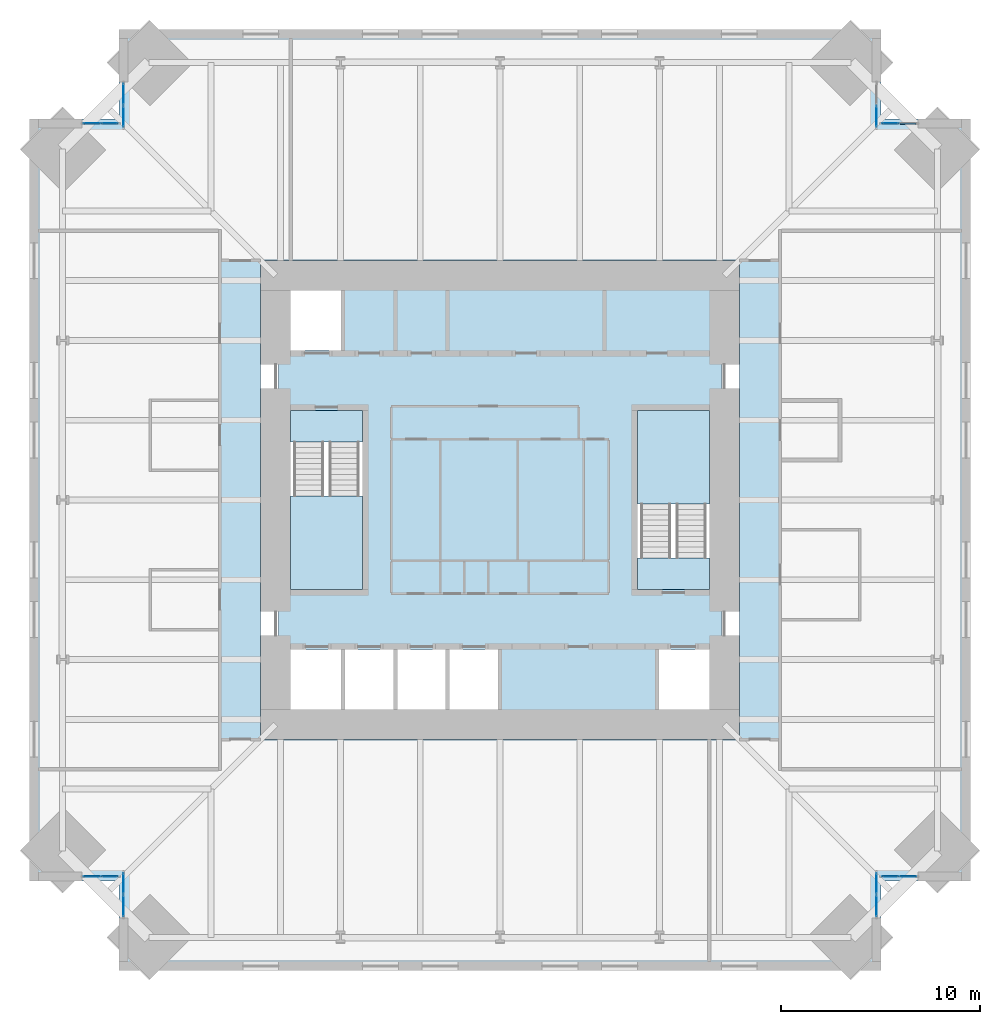
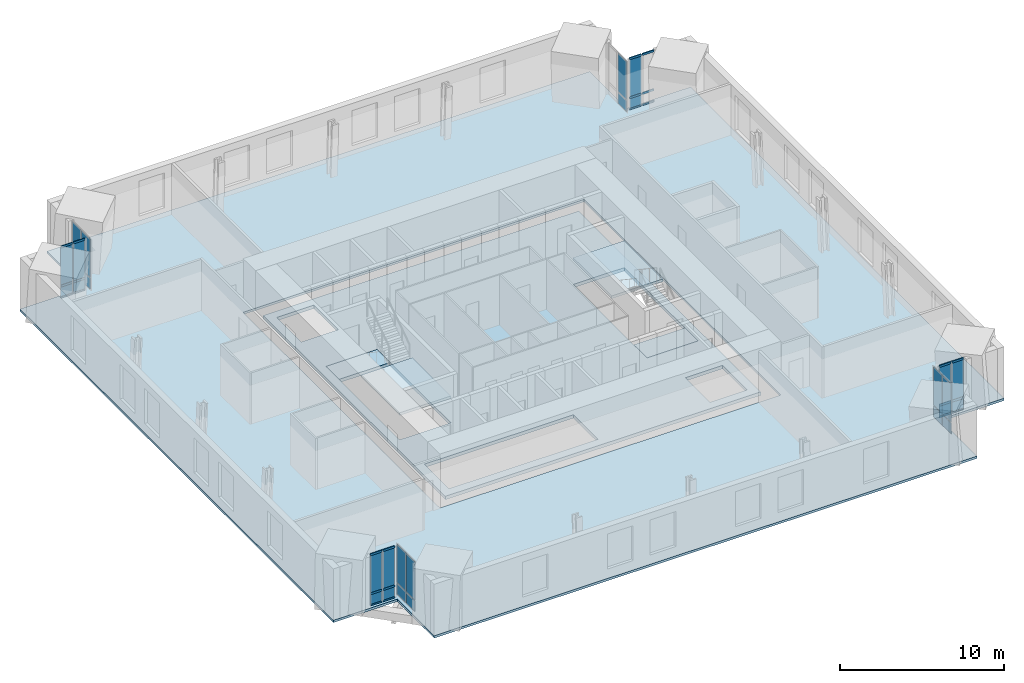
# One storey, part 9 of 14: 28 plates, 24 members, 6 slabs, 10 elements without a shape of their own.
"""IFC4 building model written with IfcOpenShell, lengths in metres."""

from ifc_helpers import new_model, si_unit, direction, frame, origin, origin_2d, place, context, subcontext, project, spatial, polyline, rectangle, hollow_rectangle, outline, extrude, material, layer, layer_set, material_profile, profile_set, type_object, element, aggregate, save


model = new_model("IFC4")

# Units and contexts
model_context = context("Model", 3, precision=1e-05, world=origin(), true_north=direction((0.0, 1.0)))
body_context = subcontext(model_context, "Body", "Model", "MODEL_VIEW")
ifc_project = project(units=[si_unit("LENGTHUNIT", "METRE"), si_unit("AREAUNIT", "SQUARE_METRE"), si_unit("VOLUMEUNIT", "CUBIC_METRE"), si_unit("PLANEANGLEUNIT", "RADIAN"), si_unit("MASSUNIT", "GRAM", prefix="KILO")], contexts=[model_context])

# Site, building, storey
site_placement = place(None, origin())
site = spatial("IfcSite", under=ifc_project, at=site_placement, CompositionType="ELEMENT")
building_placement = place(site_placement, origin())
building = spatial("IfcBuilding", under=site, at=building_placement, Name="Peilmerk Tower", CompositionType="ELEMENT")
storey_placement = place(building_placement, frame((0.0, 0.0, 221.800048828125)))
storey = spatial("IfcBuildingStorey", under=building, at=storey_placement, Name="L48", CompositionType="ELEMENT", Elevation=221.800048828125)

# Curtain wall, members
ifc_material_1 = material(Name="Aluminium stick curtain wall", Category="aluminium")
curtain_wall_type = type_object("IfcCurtainWallType", Name="CW4 stick curtain wall, 2250 module", PredefinedType="NOTDEFINED", material=ifc_material_1)
curtain_wall_1_placement = place(storey_placement, origin())
curtain_wall_1 = element("IfcCurtainWall", 1, at=curtain_wall_1_placement, inside=storey, type_object=curtain_wall_type, Name="Curtain wall CW4 NEB L48", PredefinedType="NOTDEFINED")
ifc_material_2 = material(Name="Aluminium EN AW-6063 T6", Category="aluminium")
ifc_material_profile = material_profile(ifc_material_2, hollow_rectangle(XDim=0.06494140625, YDim=0.14990234375, WallThickness=0.0029296875, at=origin_2d()), Name="AL 150x65x3")
ifc_profile_set = profile_set([ifc_material_profile], Name="Aluminium EN AW-6063 T6")
member_type = type_object("IfcMemberType", Name="CW4-T AL 150x65x3 transom", PredefinedType="USERDEFINED", material=ifc_profile_set)
member_1_placement = place(storey_placement, frame((19.1650390625, 18.875, 0.032470703125), z_axis=(1.0, 0.0, 0.0), x_axis=(0.0, 1.0, 0.0)))
member_1 = element("IfcMember", 2, at=member_1_placement, type_object=member_type, Name="CW4 transom 1.1", ObjectType="TRANSOM", PredefinedType="USERDEFINED", context=body_context, shape_type="SweptSolid", body=[
    extrude(hollow_rectangle(XDim=0.06494140625, YDim=0.14990234375, WallThickness=0.0029296875, at=origin_2d()), origin(), (0.0, 0.0, 1.0), 0.82177734375),
])
member_2_placement = place(storey_placement, frame((19.1650390625, 18.875, 0.89990234375), z_axis=(1.0, 0.0, 0.0), x_axis=(0.0, 1.0, 0.0)))
member_2 = element("IfcMember", 3, at=member_2_placement, type_object=member_type, Name="CW4 transom 1.2", ObjectType="TRANSOM", PredefinedType="USERDEFINED", context=body_context, shape_type="SweptSolid", body=[
    extrude(hollow_rectangle(XDim=0.06494140625, YDim=0.14990234375, WallThickness=0.0029296875, at=origin_2d()), origin(), (0.0, 0.0, 1.0), 0.82177734375),
])
member_3_placement = place(storey_placement, frame((19.1650390625, 18.875, 3.79736328125), z_axis=(1.0, 0.0, 0.0), x_axis=(0.0, 1.0, 0.0)))
member_3 = element("IfcMember", 4, at=member_3_placement, type_object=member_type, Name="CW4 transom 1.3", ObjectType="TRANSOM", PredefinedType="USERDEFINED", context=body_context, shape_type="SweptSolid", body=[
    extrude(hollow_rectangle(XDim=0.06494140625, YDim=0.14990234375, WallThickness=0.0029296875, at=origin_2d()), origin(), (0.0, 0.0, 1.0), 0.82177734375),
])
member_4_placement = place(storey_placement, frame((20.0517578125, 18.875, 0.032470703125), z_axis=(1.0, 0.0, 0.0), x_axis=(0.0, 1.0, 0.0)))
member_4 = element("IfcMember", 5, at=member_4_placement, type_object=member_type, Name="CW4 transom 2.1", ObjectType="TRANSOM", PredefinedType="USERDEFINED", context=body_context, shape_type="SweptSolid", body=[
    extrude(hollow_rectangle(XDim=0.06494140625, YDim=0.14990234375, WallThickness=0.0029296875, at=origin_2d()), origin(), (0.0, 0.0, 1.0), 0.822021484375),
])
member_5_placement = place(storey_placement, frame((20.0517578125, 18.875, 0.89990234375), z_axis=(1.0, 0.0, 0.0), x_axis=(0.0, 1.0, 0.0)))
member_5 = element("IfcMember", 6, at=member_5_placement, type_object=member_type, Name="CW4 transom 2.2", ObjectType="TRANSOM", PredefinedType="USERDEFINED", context=body_context, shape_type="SweptSolid", body=[
    extrude(hollow_rectangle(XDim=0.06494140625, YDim=0.14990234375, WallThickness=0.0029296875, at=origin_2d()), origin(), (0.0, 0.0, 1.0), 0.822021484375),
])
member_6_placement = place(storey_placement, frame((20.0517578125, 18.875, 3.79736328125), z_axis=(1.0, 0.0, 0.0), x_axis=(0.0, 1.0, 0.0)))
member_6 = element("IfcMember", 7, at=member_6_placement, type_object=member_type, Name="CW4 transom 2.3", ObjectType="TRANSOM", PredefinedType="USERDEFINED", context=body_context, shape_type="SweptSolid", body=[
    extrude(hollow_rectangle(XDim=0.06494140625, YDim=0.14990234375, WallThickness=0.0029296875, at=origin_2d()), origin(), (0.0, 0.0, 1.0), 0.822021484375),
])

curtain_wall_2_placement = place(storey_placement, origin())
curtain_wall_2 = element("IfcCurtainWall", 8, at=curtain_wall_2_placement, inside=storey, type_object=curtain_wall_type, Name="Curtain wall CW4 SEB L48", PredefinedType="NOTDEFINED")
member_7_placement = place(storey_placement, frame((19.1650390625, -18.875, 0.032470703125), z_axis=(1.0, 0.0, 0.0), x_axis=(0.0, 1.0, 0.0)))
member_7 = element("IfcMember", 9, at=member_7_placement, type_object=member_type, Name="CW4 transom 1.1", ObjectType="TRANSOM", PredefinedType="USERDEFINED", context=body_context, shape_type="SweptSolid", body=[
    extrude(hollow_rectangle(XDim=0.06494140625, YDim=0.14990234375, WallThickness=0.0029296875, at=origin_2d()), origin(), (0.0, 0.0, 1.0), 0.82177734375),
])
member_8_placement = place(storey_placement, frame((19.1650390625, -18.875, 0.89990234375), z_axis=(1.0, 0.0, 0.0), x_axis=(0.0, 1.0, 0.0)))
member_8 = element("IfcMember", 10, at=member_8_placement, type_object=member_type, Name="CW4 transom 1.2", ObjectType="TRANSOM", PredefinedType="USERDEFINED", context=body_context, shape_type="SweptSolid", body=[
    extrude(hollow_rectangle(XDim=0.06494140625, YDim=0.14990234375, WallThickness=0.0029296875, at=origin_2d()), origin(), (0.0, 0.0, 1.0), 0.82177734375),
])
member_9_placement = place(storey_placement, frame((19.1650390625, -18.875, 3.79736328125), z_axis=(1.0, 0.0, 0.0), x_axis=(0.0, 1.0, 0.0)))
member_9 = element("IfcMember", 11, at=member_9_placement, type_object=member_type, Name="CW4 transom 1.3", ObjectType="TRANSOM", PredefinedType="USERDEFINED", context=body_context, shape_type="SweptSolid", body=[
    extrude(hollow_rectangle(XDim=0.06494140625, YDim=0.14990234375, WallThickness=0.0029296875, at=origin_2d()), origin(), (0.0, 0.0, 1.0), 0.82177734375),
])
member_10_placement = place(storey_placement, frame((20.0517578125, -18.875, 0.032470703125), z_axis=(1.0, 0.0, 0.0), x_axis=(0.0, 1.0, 0.0)))
member_10 = element("IfcMember", 12, at=member_10_placement, type_object=member_type, Name="CW4 transom 2.1", ObjectType="TRANSOM", PredefinedType="USERDEFINED", context=body_context, shape_type="SweptSolid", body=[
    extrude(hollow_rectangle(XDim=0.06494140625, YDim=0.14990234375, WallThickness=0.0029296875, at=origin_2d()), origin(), (0.0, 0.0, 1.0), 0.822021484375),
])
member_11_placement = place(storey_placement, frame((20.0517578125, -18.875, 0.89990234375), z_axis=(1.0, 0.0, 0.0), x_axis=(0.0, 1.0, 0.0)))
member_11 = element("IfcMember", 13, at=member_11_placement, type_object=member_type, Name="CW4 transom 2.2", ObjectType="TRANSOM", PredefinedType="USERDEFINED", context=body_context, shape_type="SweptSolid", body=[
    extrude(hollow_rectangle(XDim=0.06494140625, YDim=0.14990234375, WallThickness=0.0029296875, at=origin_2d()), origin(), (0.0, 0.0, 1.0), 0.822021484375),
])
member_12_placement = place(storey_placement, frame((20.0517578125, -18.875, 3.79736328125), z_axis=(1.0, 0.0, 0.0), x_axis=(0.0, 1.0, 0.0)))
member_12 = element("IfcMember", 14, at=member_12_placement, type_object=member_type, Name="CW4 transom 2.3", ObjectType="TRANSOM", PredefinedType="USERDEFINED", context=body_context, shape_type="SweptSolid", body=[
    extrude(hollow_rectangle(XDim=0.06494140625, YDim=0.14990234375, WallThickness=0.0029296875, at=origin_2d()), origin(), (0.0, 0.0, 1.0), 0.822021484375),
])

curtain_wall_3_placement = place(storey_placement, origin())
curtain_wall_3 = element("IfcCurtainWall", 15, at=curtain_wall_3_placement, inside=storey, type_object=curtain_wall_type, Name="Curtain wall CW4 SWB L48", PredefinedType="NOTDEFINED")
member_13_placement = place(storey_placement, frame((-19.1650390625, -18.875, 0.032470703125), z_axis=(-1.0, 0.0, 0.0), x_axis=(0.0, -1.0, 0.0)))
member_13 = element("IfcMember", 16, at=member_13_placement, type_object=member_type, Name="CW4 transom 1.1", ObjectType="TRANSOM", PredefinedType="USERDEFINED", context=body_context, shape_type="SweptSolid", body=[
    extrude(hollow_rectangle(XDim=0.06494140625, YDim=0.14990234375, WallThickness=0.0029296875, at=origin_2d()), origin(), (0.0, 0.0, 1.0), 0.82177734375),
])
member_14_placement = place(storey_placement, frame((-19.1650390625, -18.875, 0.89990234375), z_axis=(-1.0, 0.0, 0.0), x_axis=(0.0, -1.0, 0.0)))
member_14 = element("IfcMember", 17, at=member_14_placement, type_object=member_type, Name="CW4 transom 1.2", ObjectType="TRANSOM", PredefinedType="USERDEFINED", context=body_context, shape_type="SweptSolid", body=[
    extrude(hollow_rectangle(XDim=0.06494140625, YDim=0.14990234375, WallThickness=0.0029296875, at=origin_2d()), origin(), (0.0, 0.0, 1.0), 0.82177734375),
])
member_15_placement = place(storey_placement, frame((-19.1650390625, -18.875, 3.79736328125), z_axis=(-1.0, 0.0, 0.0), x_axis=(0.0, -1.0, 0.0)))
member_15 = element("IfcMember", 18, at=member_15_placement, type_object=member_type, Name="CW4 transom 1.3", ObjectType="TRANSOM", PredefinedType="USERDEFINED", context=body_context, shape_type="SweptSolid", body=[
    extrude(hollow_rectangle(XDim=0.06494140625, YDim=0.14990234375, WallThickness=0.0029296875, at=origin_2d()), origin(), (0.0, 0.0, 1.0), 0.82177734375),
])
member_16_placement = place(storey_placement, frame((-20.0517578125, -18.875, 0.032470703125), z_axis=(-1.0, 0.0, 0.0), x_axis=(0.0, -1.0, 0.0)))
member_16 = element("IfcMember", 19, at=member_16_placement, type_object=member_type, Name="CW4 transom 2.1", ObjectType="TRANSOM", PredefinedType="USERDEFINED", context=body_context, shape_type="SweptSolid", body=[
    extrude(hollow_rectangle(XDim=0.06494140625, YDim=0.14990234375, WallThickness=0.0029296875, at=origin_2d()), origin(), (0.0, 0.0, 1.0), 0.822021484375),
])
member_17_placement = place(storey_placement, frame((-20.0517578125, -18.875, 0.89990234375), z_axis=(-1.0, 0.0, 0.0), x_axis=(0.0, -1.0, 0.0)))
member_17 = element("IfcMember", 20, at=member_17_placement, type_object=member_type, Name="CW4 transom 2.2", ObjectType="TRANSOM", PredefinedType="USERDEFINED", context=body_context, shape_type="SweptSolid", body=[
    extrude(hollow_rectangle(XDim=0.06494140625, YDim=0.14990234375, WallThickness=0.0029296875, at=origin_2d()), origin(), (0.0, 0.0, 1.0), 0.822021484375),
])
member_18_placement = place(storey_placement, frame((-20.0517578125, -18.875, 3.79736328125), z_axis=(-1.0, 0.0, 0.0), x_axis=(0.0, -1.0, 0.0)))
member_18 = element("IfcMember", 21, at=member_18_placement, type_object=member_type, Name="CW4 transom 2.3", ObjectType="TRANSOM", PredefinedType="USERDEFINED", context=body_context, shape_type="SweptSolid", body=[
    extrude(hollow_rectangle(XDim=0.06494140625, YDim=0.14990234375, WallThickness=0.0029296875, at=origin_2d()), origin(), (0.0, 0.0, 1.0), 0.822021484375),
])

curtain_wall_4_placement = place(storey_placement, origin())
curtain_wall_4 = element("IfcCurtainWall", 22, at=curtain_wall_4_placement, inside=storey, type_object=curtain_wall_type, Name="Curtain wall CW4 NWB L48", PredefinedType="NOTDEFINED")
member_19_placement = place(storey_placement, frame((-19.1650390625, 18.875, 0.032470703125), z_axis=(-1.0, 0.0, 0.0), x_axis=(0.0, -1.0, 0.0)))
member_19 = element("IfcMember", 23, at=member_19_placement, type_object=member_type, Name="CW4 transom 1.1", ObjectType="TRANSOM", PredefinedType="USERDEFINED", context=body_context, shape_type="SweptSolid", body=[
    extrude(hollow_rectangle(XDim=0.06494140625, YDim=0.14990234375, WallThickness=0.0029296875, at=origin_2d()), origin(), (0.0, 0.0, 1.0), 0.82177734375),
])
member_20_placement = place(storey_placement, frame((-19.1650390625, 18.875, 0.89990234375), z_axis=(-1.0, 0.0, 0.0), x_axis=(0.0, -1.0, 0.0)))
member_20 = element("IfcMember", 24, at=member_20_placement, type_object=member_type, Name="CW4 transom 1.2", ObjectType="TRANSOM", PredefinedType="USERDEFINED", context=body_context, shape_type="SweptSolid", body=[
    extrude(hollow_rectangle(XDim=0.06494140625, YDim=0.14990234375, WallThickness=0.0029296875, at=origin_2d()), origin(), (0.0, 0.0, 1.0), 0.82177734375),
])
member_21_placement = place(storey_placement, frame((-19.1650390625, 18.875, 3.79736328125), z_axis=(-1.0, 0.0, 0.0), x_axis=(0.0, -1.0, 0.0)))
member_21 = element("IfcMember", 25, at=member_21_placement, type_object=member_type, Name="CW4 transom 1.3", ObjectType="TRANSOM", PredefinedType="USERDEFINED", context=body_context, shape_type="SweptSolid", body=[
    extrude(hollow_rectangle(XDim=0.06494140625, YDim=0.14990234375, WallThickness=0.0029296875, at=origin_2d()), origin(), (0.0, 0.0, 1.0), 0.82177734375),
])
member_22_placement = place(storey_placement, frame((-20.0517578125, 18.875, 0.032470703125), z_axis=(-1.0, 0.0, 0.0), x_axis=(0.0, -1.0, 0.0)))
member_22 = element("IfcMember", 26, at=member_22_placement, type_object=member_type, Name="CW4 transom 2.1", ObjectType="TRANSOM", PredefinedType="USERDEFINED", context=body_context, shape_type="SweptSolid", body=[
    extrude(hollow_rectangle(XDim=0.06494140625, YDim=0.14990234375, WallThickness=0.0029296875, at=origin_2d()), origin(), (0.0, 0.0, 1.0), 0.822021484375),
])
member_23_placement = place(storey_placement, frame((-20.0517578125, 18.875, 0.89990234375), z_axis=(-1.0, 0.0, 0.0), x_axis=(0.0, -1.0, 0.0)))
member_23 = element("IfcMember", 27, at=member_23_placement, type_object=member_type, Name="CW4 transom 2.2", ObjectType="TRANSOM", PredefinedType="USERDEFINED", context=body_context, shape_type="SweptSolid", body=[
    extrude(hollow_rectangle(XDim=0.06494140625, YDim=0.14990234375, WallThickness=0.0029296875, at=origin_2d()), origin(), (0.0, 0.0, 1.0), 0.822021484375),
])
member_24_placement = place(storey_placement, frame((-20.0517578125, 18.875, 3.79736328125), z_axis=(-1.0, 0.0, 0.0), x_axis=(0.0, -1.0, 0.0)))
member_24 = element("IfcMember", 28, at=member_24_placement, type_object=member_type, Name="CW4 transom 2.3", ObjectType="TRANSOM", PredefinedType="USERDEFINED", context=body_context, shape_type="SweptSolid", body=[
    extrude(hollow_rectangle(XDim=0.06494140625, YDim=0.14990234375, WallThickness=0.0029296875, at=origin_2d()), origin(), (0.0, 0.0, 1.0), 0.822021484375),
])

# Slab
ifc_material_3 = material(Name="Concrete C55/67", Category="concrete")
ifc_layer_1 = layer(ifc_material_3, 0.25)
ifc_layer_set_1 = layer_set([ifc_layer_1], Name="Concrete C55/67")
slab_type_1 = type_object("IfcSlabType", Name="CS250 250 core floor slab", PredefinedType="FLOOR", material=ifc_layer_set_1)
slab_1_placement = place(storey_placement, frame((0.0, 0.0, -0.25)))
element("IfcSlab", 29, at=slab_1_placement, inside=storey, type_object=slab_type_1, Name="Core slab L48", PredefinedType="FLOOR", context=body_context, shape_type="SweptSolid", body=[
    extrude(outline(polyline([(11.10009765625, -11.10009765625), (11.10009765625, 11.10009765625), (-11.10009765625, 11.10009765625), (-11.10009765625, -11.10009765625), (11.10009765625, -11.10009765625)]), holes=[polyline([(-7.875, 7.5), (-10.5, 7.5), (-10.5, 10.5), (-7.875, 10.5), (-7.875, 7.5)]), polyline([(0.0, -10.5), (-10.5, -10.5), (-10.5, -7.5), (0.0, -7.5), (0.0, -10.5)]), polyline([(7.875, -10.5), (7.875, -7.5), (10.5, -7.5), (10.5, -10.5), (7.875, -10.5)]), polyline([(-10.5, 4.5), (-6.89990234375, 4.5), (-6.89990234375, -4.5), (-10.5, -4.5), (-10.5, 4.5)]), polyline([(10.5, 4.5), (10.5, -4.5), (6.89990234375, -4.5), (6.89990234375, 4.5), (10.5, 4.5)])]), origin(), (0.0, 0.0, 1.0), 0.25),
])

# Curtain wall, plates
curtain_wall_5_placement = place(storey_placement, origin())
curtain_wall_5 = element("IfcCurtainWall", 30, at=curtain_wall_5_placement, inside=storey, type_object=curtain_wall_type, Name="Curtain wall CW4 NEA L48", PredefinedType="NOTDEFINED")
ifc_material_4 = material(Name="Clear insulated glazing unit", Category="glass")
ifc_layer_2 = layer(ifc_material_4, 0.028076171875)
ifc_layer_set_2 = layer_set([ifc_layer_2], Name="Clear insulated glazing unit")
plate_type = type_object("IfcPlateType", Name="CW4-P 28 glazed panel", PredefinedType="CURTAIN_PANEL", material=ifc_layer_set_2)
plate_1_placement = place(storey_placement, frame((18.875, 19.238525390625, 0.06494140625), z_axis=(0.0, 0.0, 1.0), x_axis=(0.0, 1.0, 0.0)))
plate_1 = element("IfcPlate", 31, at=plate_1_placement, type_object=plate_type, Name="CW4 panel 1.1", PredefinedType="CURTAIN_PANEL", context=body_context, shape_type="SweptSolid", body=[
    extrude(rectangle(XDim=1.046875, YDim=0.028076171875, at=origin_2d()), origin(), (0.0, 0.0, 1.0), 0.802490234375),
])
plate_2_placement = place(storey_placement, frame((18.875, 19.238525390625, 0.932373046875), z_axis=(0.0, 0.0, 1.0), x_axis=(0.0, 1.0, 0.0)))
plate_2 = element("IfcPlate", 32, at=plate_2_placement, type_object=plate_type, Name="CW4 panel 1.2", PredefinedType="CURTAIN_PANEL", context=body_context, shape_type="SweptSolid", body=[
    extrude(rectangle(XDim=1.046875, YDim=0.028076171875, at=origin_2d()), origin(), (0.0, 0.0, 1.0), 2.83251953125),
])
aggregate(curtain_wall_5, [plate_1, plate_2])

# Plate
plate_3_placement = place(storey_placement, frame((19.575927734375, 18.875, 0.06494140625), z_axis=(0.0, 0.0, 1.0), x_axis=(1.0, 0.0, 0.0)))
plate_3 = element("IfcPlate", 33, at=plate_3_placement, type_object=plate_type, Name="CW4 panel 1.1", PredefinedType="CURTAIN_PANEL", context=body_context, shape_type="SweptSolid", body=[
    extrude(rectangle(XDim=0.82177734375, YDim=0.028076171875, at=origin_2d()), origin(), (0.0, 0.0, 1.0), 0.802490234375),
])

plate_4_placement = place(storey_placement, frame((19.575927734375, 18.875, 0.932373046875), z_axis=(0.0, 0.0, 1.0), x_axis=(1.0, 0.0, 0.0)))
plate_4 = element("IfcPlate", 34, at=plate_4_placement, type_object=plate_type, Name="CW4 panel 1.2", PredefinedType="CURTAIN_PANEL", context=body_context, shape_type="SweptSolid", body=[
    extrude(rectangle(XDim=0.82177734375, YDim=0.028076171875, at=origin_2d()), origin(), (0.0, 0.0, 1.0), 2.83251953125),
])

aggregate(curtain_wall_1, [member_1, member_2, member_3, plate_3, plate_4, member_4, member_5, member_6])

# Curtain wall, plates
curtain_wall_6_placement = place(storey_placement, origin())
curtain_wall_6 = element("IfcCurtainWall", 35, at=curtain_wall_6_placement, inside=storey, type_object=curtain_wall_type, Name="Curtain wall CW4 SEA L48", PredefinedType="NOTDEFINED")
plate_5_placement = place(storey_placement, frame((18.875, -19.238525390625, 0.06494140625), z_axis=(0.0, 0.0, 1.0), x_axis=(0.0, -1.0, 0.0)))
plate_5 = element("IfcPlate", 36, at=plate_5_placement, type_object=plate_type, Name="CW4 panel 1.1", PredefinedType="CURTAIN_PANEL", context=body_context, shape_type="SweptSolid", body=[
    extrude(rectangle(XDim=1.046875, YDim=0.028076171875, at=origin_2d()), origin(), (0.0, 0.0, 1.0), 0.802490234375),
])
plate_6_placement = place(storey_placement, frame((18.875, -19.238525390625, 0.932373046875), z_axis=(0.0, 0.0, 1.0), x_axis=(0.0, -1.0, 0.0)))
plate_6 = element("IfcPlate", 37, at=plate_6_placement, type_object=plate_type, Name="CW4 panel 1.2", PredefinedType="CURTAIN_PANEL", context=body_context, shape_type="SweptSolid", body=[
    extrude(rectangle(XDim=1.046875, YDim=0.028076171875, at=origin_2d()), origin(), (0.0, 0.0, 1.0), 2.83251953125),
])
plate_7_placement = place(storey_placement, frame((18.875, -20.350341796875, 0.06494140625), z_axis=(0.0, 0.0, 1.0), x_axis=(0.0, -1.0, 0.0)))
plate_7 = element("IfcPlate", 38, at=plate_7_placement, type_object=plate_type, Name="CW4 panel 2.1", PredefinedType="CURTAIN_PANEL", context=body_context, shape_type="SweptSolid", body=[
    extrude(rectangle(XDim=1.046875, YDim=0.028076171875, at=origin_2d()), origin(), (0.0, 0.0, 1.0), 0.802490234375),
])
plate_8_placement = place(storey_placement, frame((18.875, -20.350341796875, 0.932373046875), z_axis=(0.0, 0.0, 1.0), x_axis=(0.0, -1.0, 0.0)))
plate_8 = element("IfcPlate", 39, at=plate_8_placement, type_object=plate_type, Name="CW4 panel 2.2", PredefinedType="CURTAIN_PANEL", context=body_context, shape_type="SweptSolid", body=[
    extrude(rectangle(XDim=1.046875, YDim=0.028076171875, at=origin_2d()), origin(), (0.0, 0.0, 1.0), 2.83251953125),
])
aggregate(curtain_wall_6, [plate_5, plate_6, plate_7, plate_8])

# Plate
plate_9_placement = place(storey_placement, frame((19.575927734375, -18.875, 0.06494140625), z_axis=(0.0, 0.0, 1.0), x_axis=(1.0, 0.0, 0.0)))
plate_9 = element("IfcPlate", 40, at=plate_9_placement, type_object=plate_type, Name="CW4 panel 1.1", PredefinedType="CURTAIN_PANEL", context=body_context, shape_type="SweptSolid", body=[
    extrude(rectangle(XDim=0.82177734375, YDim=0.028076171875, at=origin_2d()), origin(), (0.0, 0.0, 1.0), 0.802490234375),
])

plate_10_placement = place(storey_placement, frame((19.575927734375, -18.875, 0.932373046875), z_axis=(0.0, 0.0, 1.0), x_axis=(1.0, 0.0, 0.0)))
plate_10 = element("IfcPlate", 41, at=plate_10_placement, type_object=plate_type, Name="CW4 panel 1.2", PredefinedType="CURTAIN_PANEL", context=body_context, shape_type="SweptSolid", body=[
    extrude(rectangle(XDim=0.82177734375, YDim=0.028076171875, at=origin_2d()), origin(), (0.0, 0.0, 1.0), 2.83251953125),
])

plate_11_placement = place(storey_placement, frame((20.462646484375, -18.875, 0.06494140625), z_axis=(0.0, 0.0, 1.0), x_axis=(1.0, 0.0, 0.0)))
plate_11 = element("IfcPlate", 42, at=plate_11_placement, type_object=plate_type, Name="CW4 panel 2.1", PredefinedType="CURTAIN_PANEL", context=body_context, shape_type="SweptSolid", body=[
    extrude(rectangle(XDim=0.82177734375, YDim=0.028076171875, at=origin_2d()), origin(), (0.0, 0.0, 1.0), 0.802490234375),
])

plate_12_placement = place(storey_placement, frame((20.462646484375, -18.875, 0.932373046875), z_axis=(0.0, 0.0, 1.0), x_axis=(1.0, 0.0, 0.0)))
plate_12 = element("IfcPlate", 43, at=plate_12_placement, type_object=plate_type, Name="CW4 panel 2.2", PredefinedType="CURTAIN_PANEL", context=body_context, shape_type="SweptSolid", body=[
    extrude(rectangle(XDim=0.82177734375, YDim=0.028076171875, at=origin_2d()), origin(), (0.0, 0.0, 1.0), 2.83251953125),
])

aggregate(curtain_wall_2, [member_7, member_8, member_9, plate_9, plate_10, member_10, member_11, member_12, plate_11, plate_12])

# Curtain wall, plates
curtain_wall_7_placement = place(storey_placement, origin())
curtain_wall_7 = element("IfcCurtainWall", 44, at=curtain_wall_7_placement, inside=storey, type_object=curtain_wall_type, Name="Curtain wall CW4 SWA L48", PredefinedType="NOTDEFINED")
plate_13_placement = place(storey_placement, frame((-18.875, -19.238525390625, 0.06494140625), z_axis=(0.0, 0.0, 1.0), x_axis=(0.0, -1.0, 0.0)))
plate_13 = element("IfcPlate", 45, at=plate_13_placement, type_object=plate_type, Name="CW4 panel 1.1", PredefinedType="CURTAIN_PANEL", context=body_context, shape_type="SweptSolid", body=[
    extrude(rectangle(XDim=1.046875, YDim=0.028076171875, at=origin_2d()), origin(), (0.0, 0.0, 1.0), 0.802490234375),
])
plate_14_placement = place(storey_placement, frame((-18.875, -19.238525390625, 0.932373046875), z_axis=(0.0, 0.0, 1.0), x_axis=(0.0, -1.0, 0.0)))
plate_14 = element("IfcPlate", 46, at=plate_14_placement, type_object=plate_type, Name="CW4 panel 1.2", PredefinedType="CURTAIN_PANEL", context=body_context, shape_type="SweptSolid", body=[
    extrude(rectangle(XDim=1.046875, YDim=0.028076171875, at=origin_2d()), origin(), (0.0, 0.0, 1.0), 2.83251953125),
])
plate_15_placement = place(storey_placement, frame((-18.875, -20.350341796875, 0.06494140625), z_axis=(0.0, 0.0, 1.0), x_axis=(0.0, -1.0, 0.0)))
plate_15 = element("IfcPlate", 47, at=plate_15_placement, type_object=plate_type, Name="CW4 panel 2.1", PredefinedType="CURTAIN_PANEL", context=body_context, shape_type="SweptSolid", body=[
    extrude(rectangle(XDim=1.046875, YDim=0.028076171875, at=origin_2d()), origin(), (0.0, 0.0, 1.0), 0.802490234375),
])
plate_16_placement = place(storey_placement, frame((-18.875, -20.350341796875, 0.932373046875), z_axis=(0.0, 0.0, 1.0), x_axis=(0.0, -1.0, 0.0)))
plate_16 = element("IfcPlate", 48, at=plate_16_placement, type_object=plate_type, Name="CW4 panel 2.2", PredefinedType="CURTAIN_PANEL", context=body_context, shape_type="SweptSolid", body=[
    extrude(rectangle(XDim=1.046875, YDim=0.028076171875, at=origin_2d()), origin(), (0.0, 0.0, 1.0), 2.83251953125),
])
aggregate(curtain_wall_7, [plate_13, plate_14, plate_15, plate_16])

# Plate
plate_17_placement = place(storey_placement, frame((-19.575927734375, -18.875, 0.06494140625), z_axis=(0.0, 0.0, 1.0), x_axis=(-1.0, 0.0, 0.0)))
plate_17 = element("IfcPlate", 49, at=plate_17_placement, type_object=plate_type, Name="CW4 panel 1.1", PredefinedType="CURTAIN_PANEL", context=body_context, shape_type="SweptSolid", body=[
    extrude(rectangle(XDim=0.82177734375, YDim=0.028076171875, at=origin_2d()), origin(), (0.0, 0.0, 1.0), 0.802490234375),
])

plate_18_placement = place(storey_placement, frame((-19.575927734375, -18.875, 0.932373046875), z_axis=(0.0, 0.0, 1.0), x_axis=(-1.0, 0.0, 0.0)))
plate_18 = element("IfcPlate", 50, at=plate_18_placement, type_object=plate_type, Name="CW4 panel 1.2", PredefinedType="CURTAIN_PANEL", context=body_context, shape_type="SweptSolid", body=[
    extrude(rectangle(XDim=0.82177734375, YDim=0.028076171875, at=origin_2d()), origin(), (0.0, 0.0, 1.0), 2.83251953125),
])

plate_19_placement = place(storey_placement, frame((-20.462646484375, -18.875, 0.06494140625), z_axis=(0.0, 0.0, 1.0), x_axis=(-1.0, 0.0, 0.0)))
plate_19 = element("IfcPlate", 51, at=plate_19_placement, type_object=plate_type, Name="CW4 panel 2.1", PredefinedType="CURTAIN_PANEL", context=body_context, shape_type="SweptSolid", body=[
    extrude(rectangle(XDim=0.82177734375, YDim=0.028076171875, at=origin_2d()), origin(), (0.0, 0.0, 1.0), 0.802490234375),
])

plate_20_placement = place(storey_placement, frame((-20.462646484375, -18.875, 0.932373046875), z_axis=(0.0, 0.0, 1.0), x_axis=(-1.0, 0.0, 0.0)))
plate_20 = element("IfcPlate", 52, at=plate_20_placement, type_object=plate_type, Name="CW4 panel 2.2", PredefinedType="CURTAIN_PANEL", context=body_context, shape_type="SweptSolid", body=[
    extrude(rectangle(XDim=0.82177734375, YDim=0.028076171875, at=origin_2d()), origin(), (0.0, 0.0, 1.0), 2.83251953125),
])

aggregate(curtain_wall_3, [member_13, member_14, member_15, plate_17, plate_18, member_16, member_17, member_18, plate_19, plate_20])

# Curtain wall, plates
curtain_wall_8_placement = place(storey_placement, origin())
curtain_wall_8 = element("IfcCurtainWall", 53, at=curtain_wall_8_placement, inside=storey, type_object=curtain_wall_type, Name="Curtain wall CW4 NWA L48", PredefinedType="NOTDEFINED")
plate_21_placement = place(storey_placement, frame((-18.875, 19.238525390625, 0.06494140625), z_axis=(0.0, 0.0, 1.0), x_axis=(0.0, 1.0, 0.0)))
plate_21 = element("IfcPlate", 54, at=plate_21_placement, type_object=plate_type, Name="CW4 panel 1.1", PredefinedType="CURTAIN_PANEL", context=body_context, shape_type="SweptSolid", body=[
    extrude(rectangle(XDim=1.046875, YDim=0.028076171875, at=origin_2d()), origin(), (0.0, 0.0, 1.0), 0.802490234375),
])
plate_22_placement = place(storey_placement, frame((-18.875, 19.238525390625, 0.932373046875), z_axis=(0.0, 0.0, 1.0), x_axis=(0.0, 1.0, 0.0)))
plate_22 = element("IfcPlate", 55, at=plate_22_placement, type_object=plate_type, Name="CW4 panel 1.2", PredefinedType="CURTAIN_PANEL", context=body_context, shape_type="SweptSolid", body=[
    extrude(rectangle(XDim=1.046875, YDim=0.028076171875, at=origin_2d()), origin(), (0.0, 0.0, 1.0), 2.83251953125),
])
plate_23_placement = place(storey_placement, frame((-18.875, 20.350341796875, 0.06494140625), z_axis=(0.0, 0.0, 1.0), x_axis=(0.0, 1.0, 0.0)))
plate_23 = element("IfcPlate", 56, at=plate_23_placement, type_object=plate_type, Name="CW4 panel 2.1", PredefinedType="CURTAIN_PANEL", context=body_context, shape_type="SweptSolid", body=[
    extrude(rectangle(XDim=1.046875, YDim=0.028076171875, at=origin_2d()), origin(), (0.0, 0.0, 1.0), 0.802490234375),
])
plate_24_placement = place(storey_placement, frame((-18.875, 20.350341796875, 0.932373046875), z_axis=(0.0, 0.0, 1.0), x_axis=(0.0, 1.0, 0.0)))
plate_24 = element("IfcPlate", 57, at=plate_24_placement, type_object=plate_type, Name="CW4 panel 2.2", PredefinedType="CURTAIN_PANEL", context=body_context, shape_type="SweptSolid", body=[
    extrude(rectangle(XDim=1.046875, YDim=0.028076171875, at=origin_2d()), origin(), (0.0, 0.0, 1.0), 2.83251953125),
])
aggregate(curtain_wall_8, [plate_21, plate_22, plate_23, plate_24])

# Plate
plate_25_placement = place(storey_placement, frame((-19.575927734375, 18.875, 0.06494140625), z_axis=(0.0, 0.0, 1.0), x_axis=(-1.0, 0.0, 0.0)))
plate_25 = element("IfcPlate", 58, at=plate_25_placement, type_object=plate_type, Name="CW4 panel 1.1", PredefinedType="CURTAIN_PANEL", context=body_context, shape_type="SweptSolid", body=[
    extrude(rectangle(XDim=0.82177734375, YDim=0.028076171875, at=origin_2d()), origin(), (0.0, 0.0, 1.0), 0.802490234375),
])

plate_26_placement = place(storey_placement, frame((-19.575927734375, 18.875, 0.932373046875), z_axis=(0.0, 0.0, 1.0), x_axis=(-1.0, 0.0, 0.0)))
plate_26 = element("IfcPlate", 59, at=plate_26_placement, type_object=plate_type, Name="CW4 panel 1.2", PredefinedType="CURTAIN_PANEL", context=body_context, shape_type="SweptSolid", body=[
    extrude(rectangle(XDim=0.82177734375, YDim=0.028076171875, at=origin_2d()), origin(), (0.0, 0.0, 1.0), 2.83251953125),
])

plate_27_placement = place(storey_placement, frame((-20.462646484375, 18.875, 0.06494140625), z_axis=(0.0, 0.0, 1.0), x_axis=(-1.0, 0.0, 0.0)))
plate_27 = element("IfcPlate", 60, at=plate_27_placement, type_object=plate_type, Name="CW4 panel 2.1", PredefinedType="CURTAIN_PANEL", context=body_context, shape_type="SweptSolid", body=[
    extrude(rectangle(XDim=0.82177734375, YDim=0.028076171875, at=origin_2d()), origin(), (0.0, 0.0, 1.0), 0.802490234375),
])

plate_28_placement = place(storey_placement, frame((-20.462646484375, 18.875, 0.932373046875), z_axis=(0.0, 0.0, 1.0), x_axis=(-1.0, 0.0, 0.0)))
plate_28 = element("IfcPlate", 61, at=plate_28_placement, type_object=plate_type, Name="CW4 panel 2.2", PredefinedType="CURTAIN_PANEL", context=body_context, shape_type="SweptSolid", body=[
    extrude(rectangle(XDim=0.82177734375, YDim=0.028076171875, at=origin_2d()), origin(), (0.0, 0.0, 1.0), 2.83251953125),
])

aggregate(curtain_wall_4, [member_19, member_20, member_21, plate_25, plate_26, member_22, member_23, member_24, plate_27, plate_28])

# Slab
ifc_material_5 = material(Name="Concrete C35/45", Category="concrete")
ifc_layer_3 = layer(ifc_material_5, 0.169921875)
ifc_layer_set_3 = layer_set([ifc_layer_3], Name="Concrete C35/45")
slab_type_2 = type_object("IfcSlabType", Name="FS170 170 composite floor slab", PredefinedType="FLOOR", material=ifc_layer_set_3)
slab_2_placement = place(storey_placement, frame((0.0, 0.0, -0.170166015625)))
element("IfcSlab", 62, at=slab_2_placement, inside=storey, type_object=slab_type_2, Name="Floor slab L48", PredefinedType="FLOOR", context=body_context, shape_type="SweptSolid", body=[
    extrude(outline(polyline([(-19.10009765625, -23.60009765625), (19.10009765625, -23.60009765625), (19.10009765625, -19.10009765625), (23.60009765625, -19.10009765625), (23.60009765625, 19.10009765625), (19.10009765625, 19.10009765625), (19.10009765625, 23.60009765625), (-19.10009765625, 23.60009765625), (-19.10009765625, 19.10009765625), (-23.60009765625, 19.10009765625), (-23.60009765625, -19.10009765625), (-19.10009765625, -19.10009765625), (-19.10009765625, -23.60009765625)]), holes=[polyline([(12.0, 12.0), (12.0, -12.0), (-12.0, -12.0), (-12.0, 12.0), (12.0, 12.0)])]), origin(), (0.0, 0.0, 1.0), 0.170166015625),
])

# Stair, slab
ifc_material_6 = material(Name="Precast concrete C45/55", Category="concrete")
stair_type_1 = type_object("IfcStairType", Name="ST1 22 risers of 181.8", PredefinedType="HALF_TURN_STAIR", material=ifc_material_6)
stair_1_placement = place(storey_placement, origin())
stair_1 = element("IfcStair", 63, at=stair_1_placement, inside=storey, type_object=stair_type_1, Name="Stair 1 L48 to L49", PredefinedType="HALF_TURN_STAIR")
ifc_layer_4 = layer(ifc_material_5, 0.199951171875)
ifc_layer_set_4 = layer_set([ifc_layer_4], Name="Concrete C35/45")
slab_type_3 = type_object("IfcSlabType", Name="SL1 200 concrete stair landing", PredefinedType="LANDING", material=ifc_layer_set_4)
slab_3_placement = place(storey_placement, frame((0.0, 0.0, 1.800048828125)))
slab_3 = element("IfcSlab", 64, at=slab_3_placement, type_object=slab_type_3, Name="ST1 landing 1", PredefinedType="LANDING", context=body_context, shape_type="SweptSolid", body=[
    extrude(outline(polyline([(-10.5, -4.5), (-6.89990234375, -4.5), (-6.89990234375, 0.199951171875), (-10.5, 0.199951171875), (-10.5, -4.5)])), origin(), (0.0, 0.0, 1.0), 0.199951171875),
])

stair_type_2 = type_object("IfcStairType", Name="ST2 22 risers of 181.8", PredefinedType="HALF_TURN_STAIR", material=ifc_material_6)
stair_2_placement = place(storey_placement, origin())
stair_2 = element("IfcStair", 65, at=stair_2_placement, inside=storey, type_object=stair_type_2, Name="Stair 2 L48 to L49", PredefinedType="HALF_TURN_STAIR")
slab_4_placement = place(storey_placement, frame((0.0, 0.0, 1.800048828125)))
slab_4 = element("IfcSlab", 66, at=slab_4_placement, type_object=slab_type_3, Name="ST2 landing 1", PredefinedType="LANDING", context=body_context, shape_type="SweptSolid", body=[
    extrude(outline(polyline([(6.89990234375, -0.199951171875), (10.5, -0.199951171875), (10.5, 4.5), (6.89990234375, 4.5), (6.89990234375, -0.199951171875)])), origin(), (0.0, 0.0, 1.0), 0.199951171875),
])

# Slab
ifc_layer_5 = layer(ifc_material_5, 0.25)
ifc_layer_set_5 = layer_set([ifc_layer_5], Name="Concrete C35/45")
slab_type_4 = type_object("IfcSlabType", Name="SL2 250 concrete floor landing", PredefinedType="LANDING", material=ifc_layer_set_5)
slab_5_placement = place(storey_placement, frame((0.0, 0.0, -0.25)))
slab_5 = element("IfcSlab", 67, at=slab_5_placement, type_object=slab_type_4, Name="ST1 floor landing", PredefinedType="LANDING", context=body_context, shape_type="SweptSolid", body=[
    extrude(outline(polyline([(-10.5, 2.89990234375), (-6.89990234375, 2.89990234375), (-6.89990234375, 4.5), (-10.5, 4.5), (-10.5, 2.89990234375)])), origin(), (0.0, 0.0, 1.0), 0.25),
])

aggregate(stair_1, [slab_3, slab_5])

slab_6_placement = place(storey_placement, frame((0.0, 0.0, -0.25)))
slab_6 = element("IfcSlab", 68, at=slab_6_placement, type_object=slab_type_4, Name="ST2 floor landing", PredefinedType="LANDING", context=body_context, shape_type="SweptSolid", body=[
    extrude(outline(polyline([(6.89990234375, -4.5), (10.5, -4.5), (10.5, -2.89990234375), (6.89990234375, -2.89990234375), (6.89990234375, -4.5)])), origin(), (0.0, 0.0, 1.0), 0.25),
])

aggregate(stair_2, [slab_4, slab_6])

save(model, "model.ifc")
